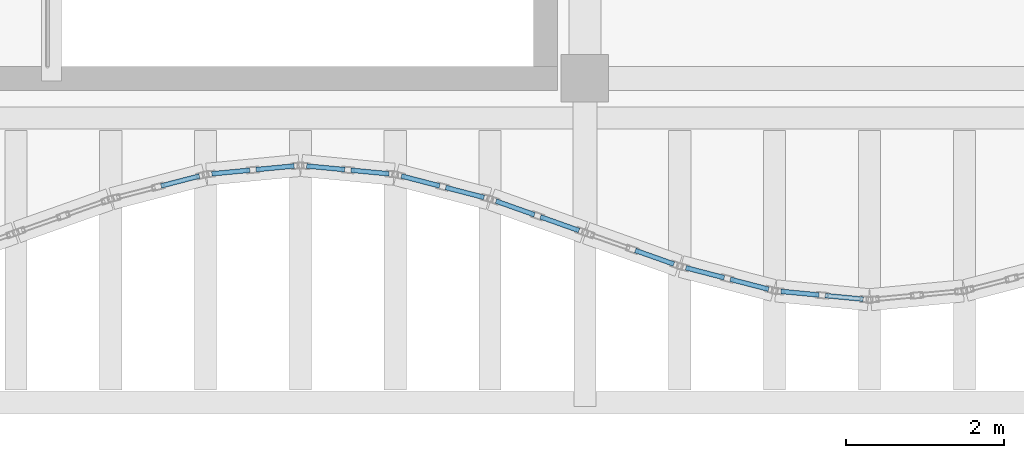
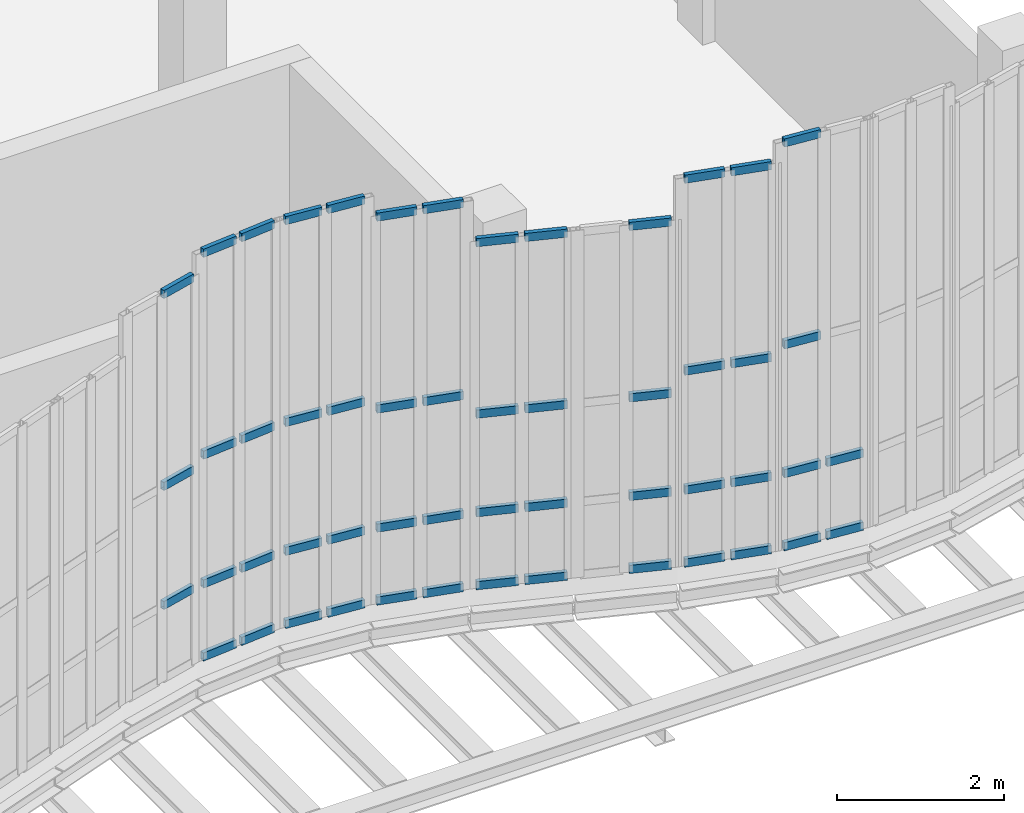
# One storey, part 45 of 76: 53 members, 8 elements without a shape of their own.
"""IFC4 building model written with IfcOpenShell, lengths in metres."""

from ifc_helpers import new_model, si_unit, direction, frame, origin, origin_2d, place, context, subcontext, project, spatial, hollow_rectangle, extrude, material, layer, layer_set, material_profile, profile_set, type_object, element, aggregate, save


model = new_model("IFC4")

# Units and contexts
model_context = context("Model", 3, precision=1e-05, world=origin(), true_north=direction((0.0, 1.0)))
body_context = subcontext(model_context, "Body", "Model", "MODEL_VIEW")
ifc_project = project(units=[si_unit("LENGTHUNIT", "METRE"), si_unit("AREAUNIT", "SQUARE_METRE"), si_unit("VOLUMEUNIT", "CUBIC_METRE"), si_unit("PLANEANGLEUNIT", "RADIAN"), si_unit("MASSUNIT", "GRAM", prefix="KILO"), si_unit("THERMODYNAMICTEMPERATUREUNIT", "KELVIN"), si_unit("POWERUNIT", "WATT")], contexts=[model_context])

# Site, building, storey
site_placement = place(None, origin())
site = spatial("IfcSite", under=ifc_project, at=site_placement, CompositionType="ELEMENT")
building_placement = place(site_placement, origin())
building = spatial("IfcBuilding", under=site, at=building_placement, Name="Kaldorven Railside Theatre", CompositionType="ELEMENT")
storey_placement = place(building_placement, frame((0.0, 0.0, 14.39990234375)))
storey = spatial("IfcBuildingStorey", under=building, at=storey_placement, Name="L03", CompositionType="ELEMENT", Elevation=14.39990234375)

# Curtain wall, members
ifc_material_1 = material(Name="Low-E laminated solar-control glass", Category="glass")
ifc_layer_1 = layer(ifc_material_1, 0.159912109375, Name="Low-E laminated solar-control glass")
ifc_layer_set_1 = layer_set([ifc_layer_1], Name="Low-E laminated solar-control glass")
curtain_wall_type_1 = type_object("IfcCurtainWallType", Name="CWT-09", PredefinedType="USERDEFINED", material=ifc_layer_set_1)
curtain_wall_1_placement = place(storey_placement, origin())
curtain_wall_1 = element("IfcCurtainWall", 1, at=curtain_wall_1_placement, inside=storey, type_object=curtain_wall_type_1, Name="Sinusoidal Fluted Curtain Wall CW-L03-S62", ObjectType="FLUTED GLAZING", PredefinedType="USERDEFINED")
ifc_material_2 = material(Name="Anodised bronze aluminium", Category="aluminium")
ifc_material_profile = material_profile(ifc_material_2, hollow_rectangle(XDim=0.06005859375, YDim=0.1201171875, WallThickness=0.0048828125, at=origin_2d()), Name="RHS 120x60x5")
ifc_profile_set = profile_set([ifc_material_profile], Name="Anodised bronze aluminium")
member_type = type_object("IfcMemberType", Name="CWT-120", PredefinedType="USERDEFINED", material=ifc_profile_set)
member_1_placement = place(storey_placement, frame((110.638671875, 17.840576171875, 1.10009765625), z_axis=(0.967979318949, 0.251029954561, 0.0), x_axis=(-0.251029954561, 0.967979318949, 0.0)))
member_1 = element("IfcMember", 2, at=member_1_placement, type_object=member_type, Name="CW-L03-S62 transom 2.2", ObjectType="TRANSOM", PredefinedType="USERDEFINED", context=body_context, shape_type="SweptSolid", body=[
    extrude(hollow_rectangle(XDim=0.06005859375, YDim=0.1201171875, WallThickness=0.0048828125, at=origin_2d()), origin(), (0.0, 0.0, 1.0), 0.5),
])
member_2_placement = place(storey_placement, frame((110.638671875, 17.840576171875, 2.84521484375), z_axis=(0.967979318949, 0.251029954561, 0.0), x_axis=(-0.251029954561, 0.967979318949, 0.0)))
member_2 = element("IfcMember", 3, at=member_2_placement, type_object=member_type, Name="CW-L03-S62 transom 2.3", ObjectType="TRANSOM", PredefinedType="USERDEFINED", context=body_context, shape_type="SweptSolid", body=[
    extrude(hollow_rectangle(XDim=0.06005859375, YDim=0.1201171875, WallThickness=0.0048828125, at=origin_2d()), origin(), (0.0, 0.0, 1.0), 0.5),
])
member_3_placement = place(storey_placement, frame((110.638671875, 17.840576171875, 5.66015625), z_axis=(0.967979318949, 0.251029954561, 0.0), x_axis=(-0.251029954561, 0.967979318949, 0.0)))
member_3 = element("IfcMember", 4, at=member_3_placement, type_object=member_type, Name="CW-L03-S62 transom 2.4", ObjectType="TRANSOM", PredefinedType="USERDEFINED", context=body_context, shape_type="SweptSolid", body=[
    extrude(hollow_rectangle(XDim=0.06005859375, YDim=0.1201171875, WallThickness=0.0048828125, at=origin_2d()), origin(), (0.0, 0.0, 1.0), 0.5),
])
aggregate(curtain_wall_1, [member_1, member_2, member_3])

ifc_layer_2 = layer(ifc_material_1, 0.159912109375, Name="Low-E laminated solar-control glass")
ifc_layer_set_2 = layer_set([ifc_layer_2], Name="Low-E laminated solar-control glass")
curtain_wall_type_2 = type_object("IfcCurtainWallType", Name="CWT-10", PredefinedType="USERDEFINED", material=ifc_layer_set_2)
curtain_wall_2_placement = place(storey_placement, origin())
curtain_wall_2 = element("IfcCurtainWall", 5, at=curtain_wall_2_placement, inside=storey, type_object=curtain_wall_type_2, Name="Sinusoidal Fluted Curtain Wall CW-L03-S63", ObjectType="FLUTED GLAZING", PredefinedType="USERDEFINED")
member_4_placement = place(storey_placement, frame((111.279541015625, 17.99365234375, 0.030029296875), z_axis=(0.995520433802, 0.094546633378, 0.0), x_axis=(-0.094546633378, 0.995520433802, 0.0)))
member_4 = element("IfcMember", 6, at=member_4_placement, type_object=member_type, Name="CW-L03-S63 transom 1.1", ObjectType="TRANSOM", PredefinedType="USERDEFINED", context=body_context, shape_type="SweptSolid", body=[
    extrude(hollow_rectangle(XDim=0.06005859375, YDim=0.1201171875, WallThickness=0.0048828125, at=origin_2d()), origin(), (0.0, 0.0, 1.0), 0.48291015625),
])
member_5_placement = place(storey_placement, frame((111.279541015625, 17.99365234375, 1.10009765625), z_axis=(0.995520433802, 0.094546633378, 0.0), x_axis=(-0.094546633378, 0.995520433802, 0.0)))
member_5 = element("IfcMember", 7, at=member_5_placement, type_object=member_type, Name="CW-L03-S63 transom 1.2", ObjectType="TRANSOM", PredefinedType="USERDEFINED", context=body_context, shape_type="SweptSolid", body=[
    extrude(hollow_rectangle(XDim=0.06005859375, YDim=0.1201171875, WallThickness=0.0048828125, at=origin_2d()), origin(), (0.0, 0.0, 1.0), 0.48291015625),
])
member_6_placement = place(storey_placement, frame((111.279541015625, 17.99365234375, 2.989990234375), z_axis=(0.995520433802, 0.094546633378, 0.0), x_axis=(-0.094546633378, 0.995520433802, 0.0)))
member_6 = element("IfcMember", 8, at=member_6_placement, type_object=member_type, Name="CW-L03-S63 transom 1.3", ObjectType="TRANSOM", PredefinedType="USERDEFINED", context=body_context, shape_type="SweptSolid", body=[
    extrude(hollow_rectangle(XDim=0.06005859375, YDim=0.1201171875, WallThickness=0.0048828125, at=origin_2d()), origin(), (0.0, 0.0, 1.0), 0.48291015625),
])
member_7_placement = place(storey_placement, frame((111.279541015625, 17.99365234375, 5.9501953125), z_axis=(0.995520433802, 0.094546633378, 0.0), x_axis=(-0.094546633378, 0.995520433802, 0.0)))
member_7 = element("IfcMember", 9, at=member_7_placement, type_object=member_type, Name="CW-L03-S63 transom 1.4", ObjectType="TRANSOM", PredefinedType="USERDEFINED", context=body_context, shape_type="SweptSolid", body=[
    extrude(hollow_rectangle(XDim=0.06005859375, YDim=0.1201171875, WallThickness=0.0048828125, at=origin_2d()), origin(), (0.0, 0.0, 1.0), 0.48291015625),
])
member_8_placement = place(storey_placement, frame((111.83984375, 18.046875, 0.030029296875), z_axis=(0.995515910823, 0.094594245591, 0.0), x_axis=(-0.094594245591, 0.995515910823, 0.0)))
member_8 = element("IfcMember", 10, at=member_8_placement, type_object=member_type, Name="CW-L03-S63 transom 2.1", ObjectType="TRANSOM", PredefinedType="USERDEFINED", context=body_context, shape_type="SweptSolid", body=[
    extrude(hollow_rectangle(XDim=0.06005859375, YDim=0.1201171875, WallThickness=0.0048828125, at=origin_2d()), origin(), (0.0, 0.0, 1.0), 0.482666015625),
])
member_9_placement = place(storey_placement, frame((111.83984375, 18.046875, 1.10009765625), z_axis=(0.995515910823, 0.094594245591, 0.0), x_axis=(-0.094594245591, 0.995515910823, 0.0)))
member_9 = element("IfcMember", 11, at=member_9_placement, type_object=member_type, Name="CW-L03-S63 transom 2.2", ObjectType="TRANSOM", PredefinedType="USERDEFINED", context=body_context, shape_type="SweptSolid", body=[
    extrude(hollow_rectangle(XDim=0.06005859375, YDim=0.1201171875, WallThickness=0.0048828125, at=origin_2d()), origin(), (0.0, 0.0, 1.0), 0.482666015625),
])
member_10_placement = place(storey_placement, frame((111.83984375, 18.046875, 2.989990234375), z_axis=(0.995515910823, 0.094594245591, 0.0), x_axis=(-0.094594245591, 0.995515910823, 0.0)))
member_10 = element("IfcMember", 12, at=member_10_placement, type_object=member_type, Name="CW-L03-S63 transom 2.3", ObjectType="TRANSOM", PredefinedType="USERDEFINED", context=body_context, shape_type="SweptSolid", body=[
    extrude(hollow_rectangle(XDim=0.06005859375, YDim=0.1201171875, WallThickness=0.0048828125, at=origin_2d()), origin(), (0.0, 0.0, 1.0), 0.482666015625),
])
member_11_placement = place(storey_placement, frame((111.83984375, 18.046875, 5.9501953125), z_axis=(0.995515910823, 0.094594245591, 0.0), x_axis=(-0.094594245591, 0.995515910823, 0.0)))
member_11 = element("IfcMember", 13, at=member_11_placement, type_object=member_type, Name="CW-L03-S63 transom 2.4", ObjectType="TRANSOM", PredefinedType="USERDEFINED", context=body_context, shape_type="SweptSolid", body=[
    extrude(hollow_rectangle(XDim=0.06005859375, YDim=0.1201171875, WallThickness=0.0048828125, at=origin_2d()), origin(), (0.0, 0.0, 1.0), 0.482666015625),
])
aggregate(curtain_wall_2, [member_4, member_5, member_6, member_7, member_8, member_9, member_10, member_11])

curtain_wall_3_placement = place(storey_placement, origin())
curtain_wall_3 = element("IfcCurtainWall", 14, at=curtain_wall_3_placement, inside=storey, type_object=curtain_wall_type_2, Name="Sinusoidal Fluted Curtain Wall CW-L03-S64", ObjectType="FLUTED GLAZING", PredefinedType="USERDEFINED")
member_12_placement = place(storey_placement, frame((112.479736328125, 18.092529296875, 0.030029296875), z_axis=(0.995515910823, -0.094594245591, 0.0), x_axis=(0.094594245591, 0.995515910823, 0.0)))
member_12 = element("IfcMember", 15, at=member_12_placement, type_object=member_type, Name="CW-L03-S64 transom 1.1", ObjectType="TRANSOM", PredefinedType="USERDEFINED", context=body_context, shape_type="SweptSolid", body=[
    extrude(hollow_rectangle(XDim=0.06005859375, YDim=0.1201171875, WallThickness=0.0048828125, at=origin_2d()), origin(), (0.0, 0.0, 1.0), 0.482666015625),
])
member_13_placement = place(storey_placement, frame((112.479736328125, 18.092529296875, 1.10009765625), z_axis=(0.995515910823, -0.094594245591, 0.0), x_axis=(0.094594245591, 0.995515910823, 0.0)))
member_13 = element("IfcMember", 16, at=member_13_placement, type_object=member_type, Name="CW-L03-S64 transom 1.2", ObjectType="TRANSOM", PredefinedType="USERDEFINED", context=body_context, shape_type="SweptSolid", body=[
    extrude(hollow_rectangle(XDim=0.06005859375, YDim=0.1201171875, WallThickness=0.0048828125, at=origin_2d()), origin(), (0.0, 0.0, 1.0), 0.482666015625),
])
member_14_placement = place(storey_placement, frame((112.479736328125, 18.092529296875, 2.989990234375), z_axis=(0.995515910823, -0.094594245591, 0.0), x_axis=(0.094594245591, 0.995515910823, 0.0)))
member_14 = element("IfcMember", 17, at=member_14_placement, type_object=member_type, Name="CW-L03-S64 transom 1.3", ObjectType="TRANSOM", PredefinedType="USERDEFINED", context=body_context, shape_type="SweptSolid", body=[
    extrude(hollow_rectangle(XDim=0.06005859375, YDim=0.1201171875, WallThickness=0.0048828125, at=origin_2d()), origin(), (0.0, 0.0, 1.0), 0.482666015625),
])
member_15_placement = place(storey_placement, frame((112.479736328125, 18.092529296875, 5.9501953125), z_axis=(0.995515910823, -0.094594245591, 0.0), x_axis=(0.094594245591, 0.995515910823, 0.0)))
member_15 = element("IfcMember", 18, at=member_15_placement, type_object=member_type, Name="CW-L03-S64 transom 1.4", ObjectType="TRANSOM", PredefinedType="USERDEFINED", context=body_context, shape_type="SweptSolid", body=[
    extrude(hollow_rectangle(XDim=0.06005859375, YDim=0.1201171875, WallThickness=0.0048828125, at=origin_2d()), origin(), (0.0, 0.0, 1.0), 0.482666015625),
])
member_16_placement = place(storey_placement, frame((113.039794921875, 18.039306640625, 0.030029296875), z_axis=(0.995515910823, -0.094594245591, 0.0), x_axis=(0.094594245591, 0.995515910823, 0.0)))
member_16 = element("IfcMember", 19, at=member_16_placement, type_object=member_type, Name="CW-L03-S64 transom 2.1", ObjectType="TRANSOM", PredefinedType="USERDEFINED", context=body_context, shape_type="SweptSolid", body=[
    extrude(hollow_rectangle(XDim=0.06005859375, YDim=0.1201171875, WallThickness=0.0048828125, at=origin_2d()), origin(), (0.0, 0.0, 1.0), 0.482666015625),
])
member_17_placement = place(storey_placement, frame((113.039794921875, 18.039306640625, 1.10009765625), z_axis=(0.995515910823, -0.094594245591, 0.0), x_axis=(0.094594245591, 0.995515910823, 0.0)))
member_17 = element("IfcMember", 20, at=member_17_placement, type_object=member_type, Name="CW-L03-S64 transom 2.2", ObjectType="TRANSOM", PredefinedType="USERDEFINED", context=body_context, shape_type="SweptSolid", body=[
    extrude(hollow_rectangle(XDim=0.06005859375, YDim=0.1201171875, WallThickness=0.0048828125, at=origin_2d()), origin(), (0.0, 0.0, 1.0), 0.482666015625),
])
member_18_placement = place(storey_placement, frame((113.039794921875, 18.039306640625, 2.989990234375), z_axis=(0.995515910823, -0.094594245591, 0.0), x_axis=(0.094594245591, 0.995515910823, 0.0)))
member_18 = element("IfcMember", 21, at=member_18_placement, type_object=member_type, Name="CW-L03-S64 transom 2.3", ObjectType="TRANSOM", PredefinedType="USERDEFINED", context=body_context, shape_type="SweptSolid", body=[
    extrude(hollow_rectangle(XDim=0.06005859375, YDim=0.1201171875, WallThickness=0.0048828125, at=origin_2d()), origin(), (0.0, 0.0, 1.0), 0.482666015625),
])
member_19_placement = place(storey_placement, frame((113.039794921875, 18.039306640625, 5.9501953125), z_axis=(0.995515910823, -0.094594245591, 0.0), x_axis=(0.094594245591, 0.995515910823, 0.0)))
member_19 = element("IfcMember", 22, at=member_19_placement, type_object=member_type, Name="CW-L03-S64 transom 2.4", ObjectType="TRANSOM", PredefinedType="USERDEFINED", context=body_context, shape_type="SweptSolid", body=[
    extrude(hollow_rectangle(XDim=0.06005859375, YDim=0.1201171875, WallThickness=0.0048828125, at=origin_2d()), origin(), (0.0, 0.0, 1.0), 0.482666015625),
])
aggregate(curtain_wall_3, [member_12, member_13, member_14, member_15, member_16, member_17, member_18, member_19])

curtain_wall_4_placement = place(storey_placement, origin())
curtain_wall_4 = element("IfcCurtainWall", 23, at=curtain_wall_4_placement, inside=storey, type_object=curtain_wall_type_1, Name="Sinusoidal Fluted Curtain Wall CW-L03-S65", ObjectType="FLUTED GLAZING", PredefinedType="USERDEFINED")
member_20_placement = place(storey_placement, frame((113.677490234375, 17.966064453125, 0.030029296875), z_axis=(0.967979318949, -0.251029954561, 0.0), x_axis=(0.251029954561, 0.967979318949, 0.0)))
member_20 = element("IfcMember", 24, at=member_20_placement, type_object=member_type, Name="CW-L03-S65 transom 1.1", ObjectType="TRANSOM", PredefinedType="USERDEFINED", context=body_context, shape_type="SweptSolid", body=[
    extrude(hollow_rectangle(XDim=0.06005859375, YDim=0.1201171875, WallThickness=0.0048828125, at=origin_2d()), origin(), (0.0, 0.0, 1.0), 0.5),
])
member_21_placement = place(storey_placement, frame((113.677490234375, 17.966064453125, 1.10009765625), z_axis=(0.967979318949, -0.251029954561, 0.0), x_axis=(0.251029954561, 0.967979318949, 0.0)))
member_21 = element("IfcMember", 25, at=member_21_placement, type_object=member_type, Name="CW-L03-S65 transom 1.2", ObjectType="TRANSOM", PredefinedType="USERDEFINED", context=body_context, shape_type="SweptSolid", body=[
    extrude(hollow_rectangle(XDim=0.06005859375, YDim=0.1201171875, WallThickness=0.0048828125, at=origin_2d()), origin(), (0.0, 0.0, 1.0), 0.5),
])
member_22_placement = place(storey_placement, frame((113.677490234375, 17.966064453125, 2.84521484375), z_axis=(0.967979318949, -0.251029954561, 0.0), x_axis=(0.251029954561, 0.967979318949, 0.0)))
member_22 = element("IfcMember", 26, at=member_22_placement, type_object=member_type, Name="CW-L03-S65 transom 1.3", ObjectType="TRANSOM", PredefinedType="USERDEFINED", context=body_context, shape_type="SweptSolid", body=[
    extrude(hollow_rectangle(XDim=0.06005859375, YDim=0.1201171875, WallThickness=0.0048828125, at=origin_2d()), origin(), (0.0, 0.0, 1.0), 0.5),
])
member_23_placement = place(storey_placement, frame((113.677490234375, 17.966064453125, 5.66015625), z_axis=(0.967979318949, -0.251029954561, 0.0), x_axis=(0.251029954561, 0.967979318949, 0.0)))
member_23 = element("IfcMember", 27, at=member_23_placement, type_object=member_type, Name="CW-L03-S65 transom 1.4", ObjectType="TRANSOM", PredefinedType="USERDEFINED", context=body_context, shape_type="SweptSolid", body=[
    extrude(hollow_rectangle(XDim=0.06005859375, YDim=0.1201171875, WallThickness=0.0048828125, at=origin_2d()), origin(), (0.0, 0.0, 1.0), 0.5),
])
member_24_placement = place(storey_placement, frame((114.23876953125, 17.820556640625, 0.030029296875), z_axis=(0.967979318949, -0.251029954561, 0.0), x_axis=(0.251029954561, 0.967979318949, 0.0)))
member_24 = element("IfcMember", 28, at=member_24_placement, type_object=member_type, Name="CW-L03-S65 transom 2.1", ObjectType="TRANSOM", PredefinedType="USERDEFINED", context=body_context, shape_type="SweptSolid", body=[
    extrude(hollow_rectangle(XDim=0.06005859375, YDim=0.1201171875, WallThickness=0.0048828125, at=origin_2d()), origin(), (0.0, 0.0, 1.0), 0.5),
])
member_25_placement = place(storey_placement, frame((114.23876953125, 17.820556640625, 1.10009765625), z_axis=(0.967979318949, -0.251029954561, 0.0), x_axis=(0.251029954561, 0.967979318949, 0.0)))
member_25 = element("IfcMember", 29, at=member_25_placement, type_object=member_type, Name="CW-L03-S65 transom 2.2", ObjectType="TRANSOM", PredefinedType="USERDEFINED", context=body_context, shape_type="SweptSolid", body=[
    extrude(hollow_rectangle(XDim=0.06005859375, YDim=0.1201171875, WallThickness=0.0048828125, at=origin_2d()), origin(), (0.0, 0.0, 1.0), 0.5),
])
member_26_placement = place(storey_placement, frame((114.23876953125, 17.820556640625, 2.84521484375), z_axis=(0.967979318949, -0.251029954561, 0.0), x_axis=(0.251029954561, 0.967979318949, 0.0)))
member_26 = element("IfcMember", 30, at=member_26_placement, type_object=member_type, Name="CW-L03-S65 transom 2.3", ObjectType="TRANSOM", PredefinedType="USERDEFINED", context=body_context, shape_type="SweptSolid", body=[
    extrude(hollow_rectangle(XDim=0.06005859375, YDim=0.1201171875, WallThickness=0.0048828125, at=origin_2d()), origin(), (0.0, 0.0, 1.0), 0.5),
])
member_27_placement = place(storey_placement, frame((114.23876953125, 17.820556640625, 5.66015625), z_axis=(0.967979318949, -0.251029954561, 0.0), x_axis=(0.251029954561, 0.967979318949, 0.0)))
member_27 = element("IfcMember", 31, at=member_27_placement, type_object=member_type, Name="CW-L03-S65 transom 2.4", ObjectType="TRANSOM", PredefinedType="USERDEFINED", context=body_context, shape_type="SweptSolid", body=[
    extrude(hollow_rectangle(XDim=0.06005859375, YDim=0.1201171875, WallThickness=0.0048828125, at=origin_2d()), origin(), (0.0, 0.0, 1.0), 0.5),
])
aggregate(curtain_wall_4, [member_20, member_21, member_22, member_23, member_24, member_25, member_26, member_27])

ifc_layer_3 = layer(ifc_material_1, 0.159912109375, Name="Low-E laminated solar-control glass")
ifc_layer_set_3 = layer_set([ifc_layer_3], Name="Low-E laminated solar-control glass")
curtain_wall_type_3 = type_object("IfcCurtainWallType", Name="CWT-08", PredefinedType="USERDEFINED", material=ifc_layer_set_3)
curtain_wall_5_placement = place(storey_placement, origin())
curtain_wall_5 = element("IfcCurtainWall", 32, at=curtain_wall_5_placement, inside=storey, type_object=curtain_wall_type_3, Name="Sinusoidal Fluted Curtain Wall CW-L03-S66", ObjectType="FLUTED GLAZING", PredefinedType="USERDEFINED")
member_28_placement = place(storey_placement, frame((114.87548828125, 17.648193359375, 0.030029296875), z_axis=(0.942658214948, -0.333759628763, 0.0), x_axis=(0.333759628763, 0.942658214948, 0.0)))
member_28 = element("IfcMember", 33, at=member_28_placement, type_object=member_type, Name="CW-L03-S66 transom 1.1", ObjectType="TRANSOM", PredefinedType="USERDEFINED", context=body_context, shape_type="SweptSolid", body=[
    extrude(hollow_rectangle(XDim=0.06005859375, YDim=0.1201171875, WallThickness=0.0048828125, at=origin_2d()), origin(), (0.0, 0.0, 1.0), 0.516357421875),
])
member_29_placement = place(storey_placement, frame((114.87548828125, 17.648193359375, 1.10009765625), z_axis=(0.942658214948, -0.333759628763, 0.0), x_axis=(0.333759628763, 0.942658214948, 0.0)))
member_29 = element("IfcMember", 34, at=member_29_placement, type_object=member_type, Name="CW-L03-S66 transom 1.2", ObjectType="TRANSOM", PredefinedType="USERDEFINED", context=body_context, shape_type="SweptSolid", body=[
    extrude(hollow_rectangle(XDim=0.06005859375, YDim=0.1201171875, WallThickness=0.0048828125, at=origin_2d()), origin(), (0.0, 0.0, 1.0), 0.516357421875),
])
member_30_placement = place(storey_placement, frame((114.87548828125, 17.648193359375, 2.545166015625), z_axis=(0.942658214948, -0.333759628763, 0.0), x_axis=(0.333759628763, 0.942658214948, 0.0)))
member_30 = element("IfcMember", 35, at=member_30_placement, type_object=member_type, Name="CW-L03-S66 transom 1.3", ObjectType="TRANSOM", PredefinedType="USERDEFINED", context=body_context, shape_type="SweptSolid", body=[
    extrude(hollow_rectangle(XDim=0.06005859375, YDim=0.1201171875, WallThickness=0.0048828125, at=origin_2d()), origin(), (0.0, 0.0, 1.0), 0.516357421875),
])
member_31_placement = place(storey_placement, frame((114.87548828125, 17.648193359375, 5.06005859375), z_axis=(0.942658214948, -0.333759628763, 0.0), x_axis=(0.333759628763, 0.942658214948, 0.0)))
member_31 = element("IfcMember", 36, at=member_31_placement, type_object=member_type, Name="CW-L03-S66 transom 1.4", ObjectType="TRANSOM", PredefinedType="USERDEFINED", context=body_context, shape_type="SweptSolid", body=[
    extrude(hollow_rectangle(XDim=0.06005859375, YDim=0.1201171875, WallThickness=0.0048828125, at=origin_2d()), origin(), (0.0, 0.0, 1.0), 0.516357421875),
])
member_32_placement = place(storey_placement, frame((115.437744140625, 17.44921875, 0.030029296875), z_axis=(0.942509408488, -0.334179614745, 0.0), x_axis=(0.334179614745, 0.942509408488, 0.0)))
member_32 = element("IfcMember", 37, at=member_32_placement, type_object=member_type, Name="CW-L03-S66 transom 2.1", ObjectType="TRANSOM", PredefinedType="USERDEFINED", context=body_context, shape_type="SweptSolid", body=[
    extrude(hollow_rectangle(XDim=0.06005859375, YDim=0.1201171875, WallThickness=0.0048828125, at=origin_2d()), origin(), (0.0, 0.0, 1.0), 0.5166015625),
])
member_33_placement = place(storey_placement, frame((115.437744140625, 17.44921875, 1.10009765625), z_axis=(0.942509408488, -0.334179614745, 0.0), x_axis=(0.334179614745, 0.942509408488, 0.0)))
member_33 = element("IfcMember", 38, at=member_33_placement, type_object=member_type, Name="CW-L03-S66 transom 2.2", ObjectType="TRANSOM", PredefinedType="USERDEFINED", context=body_context, shape_type="SweptSolid", body=[
    extrude(hollow_rectangle(XDim=0.06005859375, YDim=0.1201171875, WallThickness=0.0048828125, at=origin_2d()), origin(), (0.0, 0.0, 1.0), 0.5166015625),
])
member_34_placement = place(storey_placement, frame((115.437744140625, 17.44921875, 2.545166015625), z_axis=(0.942509408488, -0.334179614745, 0.0), x_axis=(0.334179614745, 0.942509408488, 0.0)))
member_34 = element("IfcMember", 39, at=member_34_placement, type_object=member_type, Name="CW-L03-S66 transom 2.3", ObjectType="TRANSOM", PredefinedType="USERDEFINED", context=body_context, shape_type="SweptSolid", body=[
    extrude(hollow_rectangle(XDim=0.06005859375, YDim=0.1201171875, WallThickness=0.0048828125, at=origin_2d()), origin(), (0.0, 0.0, 1.0), 0.5166015625),
])
member_35_placement = place(storey_placement, frame((115.437744140625, 17.44921875, 5.06005859375), z_axis=(0.942509408488, -0.334179614745, 0.0), x_axis=(0.334179614745, 0.942509408488, 0.0)))
member_35 = element("IfcMember", 40, at=member_35_placement, type_object=member_type, Name="CW-L03-S66 transom 2.4", ObjectType="TRANSOM", PredefinedType="USERDEFINED", context=body_context, shape_type="SweptSolid", body=[
    extrude(hollow_rectangle(XDim=0.06005859375, YDim=0.1201171875, WallThickness=0.0048828125, at=origin_2d()), origin(), (0.0, 0.0, 1.0), 0.5166015625),
])
aggregate(curtain_wall_5, [member_28, member_29, member_30, member_31, member_32, member_33, member_34, member_35])

curtain_wall_6_placement = place(storey_placement, origin())
curtain_wall_6 = element("IfcCurtainWall", 41, at=curtain_wall_6_placement, inside=storey, type_object=curtain_wall_type_3, Name="Sinusoidal Fluted Curtain Wall CW-L03-S67", ObjectType="FLUTED GLAZING", PredefinedType="USERDEFINED")
member_36_placement = place(storey_placement, frame((116.6376953125, 17.024169921875, 0.030029296875), z_axis=(0.942658214948, -0.333759628763, 0.0), x_axis=(0.333759628763, 0.942658214948, 0.0)))
member_36 = element("IfcMember", 42, at=member_36_placement, type_object=member_type, Name="CW-L03-S67 transom 2.1", ObjectType="TRANSOM", PredefinedType="USERDEFINED", context=body_context, shape_type="SweptSolid", body=[
    extrude(hollow_rectangle(XDim=0.06005859375, YDim=0.1201171875, WallThickness=0.0048828125, at=origin_2d()), origin(), (0.0, 0.0, 1.0), 0.516357421875),
])
member_37_placement = place(storey_placement, frame((116.6376953125, 17.024169921875, 1.10009765625), z_axis=(0.942658214948, -0.333759628763, 0.0), x_axis=(0.333759628763, 0.942658214948, 0.0)))
member_37 = element("IfcMember", 43, at=member_37_placement, type_object=member_type, Name="CW-L03-S67 transom 2.2", ObjectType="TRANSOM", PredefinedType="USERDEFINED", context=body_context, shape_type="SweptSolid", body=[
    extrude(hollow_rectangle(XDim=0.06005859375, YDim=0.1201171875, WallThickness=0.0048828125, at=origin_2d()), origin(), (0.0, 0.0, 1.0), 0.516357421875),
])
member_38_placement = place(storey_placement, frame((116.6376953125, 17.024169921875, 2.545166015625), z_axis=(0.942658214948, -0.333759628763, 0.0), x_axis=(0.333759628763, 0.942658214948, 0.0)))
member_38 = element("IfcMember", 44, at=member_38_placement, type_object=member_type, Name="CW-L03-S67 transom 2.3", ObjectType="TRANSOM", PredefinedType="USERDEFINED", context=body_context, shape_type="SweptSolid", body=[
    extrude(hollow_rectangle(XDim=0.06005859375, YDim=0.1201171875, WallThickness=0.0048828125, at=origin_2d()), origin(), (0.0, 0.0, 1.0), 0.516357421875),
])
member_39_placement = place(storey_placement, frame((116.6376953125, 17.024169921875, 5.06005859375), z_axis=(0.942658214948, -0.333759628763, 0.0), x_axis=(0.333759628763, 0.942658214948, 0.0)))
member_39 = element("IfcMember", 45, at=member_39_placement, type_object=member_type, Name="CW-L03-S67 transom 2.4", ObjectType="TRANSOM", PredefinedType="USERDEFINED", context=body_context, shape_type="SweptSolid", body=[
    extrude(hollow_rectangle(XDim=0.06005859375, YDim=0.1201171875, WallThickness=0.0048828125, at=origin_2d()), origin(), (0.0, 0.0, 1.0), 0.516357421875),
])
aggregate(curtain_wall_6, [member_36, member_37, member_38, member_39])

curtain_wall_7_placement = place(storey_placement, origin())
curtain_wall_7 = element("IfcCurtainWall", 46, at=curtain_wall_7_placement, inside=storey, type_object=curtain_wall_type_1, Name="Sinusoidal Fluted Curtain Wall CW-L03-S68", ObjectType="FLUTED GLAZING", PredefinedType="USERDEFINED")
member_40_placement = place(storey_placement, frame((117.27734375, 16.804931640625, 0.030029296875), z_axis=(0.967979318949, -0.251029954561, 0.0), x_axis=(0.251029954561, 0.967979318949, 0.0)))
member_40 = element("IfcMember", 47, at=member_40_placement, type_object=member_type, Name="CW-L03-S68 transom 1.1", ObjectType="TRANSOM", PredefinedType="USERDEFINED", context=body_context, shape_type="SweptSolid", body=[
    extrude(hollow_rectangle(XDim=0.06005859375, YDim=0.1201171875, WallThickness=0.0048828125, at=origin_2d()), origin(), (0.0, 0.0, 1.0), 0.5),
])
member_41_placement = place(storey_placement, frame((117.27734375, 16.804931640625, 1.10009765625), z_axis=(0.967979318949, -0.251029954561, 0.0), x_axis=(0.251029954561, 0.967979318949, 0.0)))
member_41 = element("IfcMember", 48, at=member_41_placement, type_object=member_type, Name="CW-L03-S68 transom 1.2", ObjectType="TRANSOM", PredefinedType="USERDEFINED", context=body_context, shape_type="SweptSolid", body=[
    extrude(hollow_rectangle(XDim=0.06005859375, YDim=0.1201171875, WallThickness=0.0048828125, at=origin_2d()), origin(), (0.0, 0.0, 1.0), 0.5),
])
member_42_placement = place(storey_placement, frame((117.27734375, 16.804931640625, 2.84521484375), z_axis=(0.967979318949, -0.251029954561, 0.0), x_axis=(0.251029954561, 0.967979318949, 0.0)))
member_42 = element("IfcMember", 49, at=member_42_placement, type_object=member_type, Name="CW-L03-S68 transom 1.3", ObjectType="TRANSOM", PredefinedType="USERDEFINED", context=body_context, shape_type="SweptSolid", body=[
    extrude(hollow_rectangle(XDim=0.06005859375, YDim=0.1201171875, WallThickness=0.0048828125, at=origin_2d()), origin(), (0.0, 0.0, 1.0), 0.5),
])
member_43_placement = place(storey_placement, frame((117.27734375, 16.804931640625, 5.66015625), z_axis=(0.967979318949, -0.251029954561, 0.0), x_axis=(0.251029954561, 0.967979318949, 0.0)))
member_43 = element("IfcMember", 50, at=member_43_placement, type_object=member_type, Name="CW-L03-S68 transom 1.4", ObjectType="TRANSOM", PredefinedType="USERDEFINED", context=body_context, shape_type="SweptSolid", body=[
    extrude(hollow_rectangle(XDim=0.06005859375, YDim=0.1201171875, WallThickness=0.0048828125, at=origin_2d()), origin(), (0.0, 0.0, 1.0), 0.5),
])
member_44_placement = place(storey_placement, frame((117.838623046875, 16.659423828125, 0.030029296875), z_axis=(0.967979318949, -0.251029954561, 0.0), x_axis=(0.251029954561, 0.967979318949, 0.0)))
member_44 = element("IfcMember", 51, at=member_44_placement, type_object=member_type, Name="CW-L03-S68 transom 2.1", ObjectType="TRANSOM", PredefinedType="USERDEFINED", context=body_context, shape_type="SweptSolid", body=[
    extrude(hollow_rectangle(XDim=0.06005859375, YDim=0.1201171875, WallThickness=0.0048828125, at=origin_2d()), origin(), (0.0, 0.0, 1.0), 0.5),
])
member_45_placement = place(storey_placement, frame((117.838623046875, 16.659423828125, 1.10009765625), z_axis=(0.967979318949, -0.251029954561, 0.0), x_axis=(0.251029954561, 0.967979318949, 0.0)))
member_45 = element("IfcMember", 52, at=member_45_placement, type_object=member_type, Name="CW-L03-S68 transom 2.2", ObjectType="TRANSOM", PredefinedType="USERDEFINED", context=body_context, shape_type="SweptSolid", body=[
    extrude(hollow_rectangle(XDim=0.06005859375, YDim=0.1201171875, WallThickness=0.0048828125, at=origin_2d()), origin(), (0.0, 0.0, 1.0), 0.5),
])
member_46_placement = place(storey_placement, frame((117.838623046875, 16.659423828125, 2.84521484375), z_axis=(0.967979318949, -0.251029954561, 0.0), x_axis=(0.251029954561, 0.967979318949, 0.0)))
member_46 = element("IfcMember", 53, at=member_46_placement, type_object=member_type, Name="CW-L03-S68 transom 2.3", ObjectType="TRANSOM", PredefinedType="USERDEFINED", context=body_context, shape_type="SweptSolid", body=[
    extrude(hollow_rectangle(XDim=0.06005859375, YDim=0.1201171875, WallThickness=0.0048828125, at=origin_2d()), origin(), (0.0, 0.0, 1.0), 0.5),
])
member_47_placement = place(storey_placement, frame((117.838623046875, 16.659423828125, 5.66015625), z_axis=(0.967979318949, -0.251029954561, 0.0), x_axis=(0.251029954561, 0.967979318949, 0.0)))
member_47 = element("IfcMember", 54, at=member_47_placement, type_object=member_type, Name="CW-L03-S68 transom 2.4", ObjectType="TRANSOM", PredefinedType="USERDEFINED", context=body_context, shape_type="SweptSolid", body=[
    extrude(hollow_rectangle(XDim=0.06005859375, YDim=0.1201171875, WallThickness=0.0048828125, at=origin_2d()), origin(), (0.0, 0.0, 1.0), 0.5),
])
aggregate(curtain_wall_7, [member_40, member_41, member_42, member_43, member_44, member_45, member_46, member_47])

curtain_wall_8_placement = place(storey_placement, origin())
curtain_wall_8 = element("IfcCurtainWall", 55, at=curtain_wall_8_placement, inside=storey, type_object=curtain_wall_type_2, Name="Sinusoidal Fluted Curtain Wall CW-L03-S69", ObjectType="FLUTED GLAZING", PredefinedType="USERDEFINED")
member_48_placement = place(storey_placement, frame((118.479736328125, 16.50634765625, 0.030029296875), z_axis=(0.995515910823, -0.094594245591, 0.0), x_axis=(0.094594245591, 0.995515910823, 0.0)))
member_48 = element("IfcMember", 56, at=member_48_placement, type_object=member_type, Name="CW-L03-S69 transom 1.1", ObjectType="TRANSOM", PredefinedType="USERDEFINED", context=body_context, shape_type="SweptSolid", body=[
    extrude(hollow_rectangle(XDim=0.06005859375, YDim=0.1201171875, WallThickness=0.0048828125, at=origin_2d()), origin(), (0.0, 0.0, 1.0), 0.482666015625),
])
member_49_placement = place(storey_placement, frame((118.479736328125, 16.50634765625, 1.10009765625), z_axis=(0.995515910823, -0.094594245591, 0.0), x_axis=(0.094594245591, 0.995515910823, 0.0)))
member_49 = element("IfcMember", 57, at=member_49_placement, type_object=member_type, Name="CW-L03-S69 transom 1.2", ObjectType="TRANSOM", PredefinedType="USERDEFINED", context=body_context, shape_type="SweptSolid", body=[
    extrude(hollow_rectangle(XDim=0.06005859375, YDim=0.1201171875, WallThickness=0.0048828125, at=origin_2d()), origin(), (0.0, 0.0, 1.0), 0.482666015625),
])
member_50_placement = place(storey_placement, frame((118.479736328125, 16.50634765625, 2.989990234375), z_axis=(0.995515910823, -0.094594245591, 0.0), x_axis=(0.094594245591, 0.995515910823, 0.0)))
member_50 = element("IfcMember", 58, at=member_50_placement, type_object=member_type, Name="CW-L03-S69 transom 1.3", ObjectType="TRANSOM", PredefinedType="USERDEFINED", context=body_context, shape_type="SweptSolid", body=[
    extrude(hollow_rectangle(XDim=0.06005859375, YDim=0.1201171875, WallThickness=0.0048828125, at=origin_2d()), origin(), (0.0, 0.0, 1.0), 0.482666015625),
])
member_51_placement = place(storey_placement, frame((118.479736328125, 16.50634765625, 5.9501953125), z_axis=(0.995515910823, -0.094594245591, 0.0), x_axis=(0.094594245591, 0.995515910823, 0.0)))
member_51 = element("IfcMember", 59, at=member_51_placement, type_object=member_type, Name="CW-L03-S69 transom 1.4", ObjectType="TRANSOM", PredefinedType="USERDEFINED", context=body_context, shape_type="SweptSolid", body=[
    extrude(hollow_rectangle(XDim=0.06005859375, YDim=0.1201171875, WallThickness=0.0048828125, at=origin_2d()), origin(), (0.0, 0.0, 1.0), 0.482666015625),
])
member_52_placement = place(storey_placement, frame((119.039794921875, 16.453125, 0.030029296875), z_axis=(0.995515910823, -0.094594245591, 0.0), x_axis=(0.094594245591, 0.995515910823, 0.0)))
member_52 = element("IfcMember", 60, at=member_52_placement, type_object=member_type, Name="CW-L03-S69 transom 2.1", ObjectType="TRANSOM", PredefinedType="USERDEFINED", context=body_context, shape_type="SweptSolid", body=[
    extrude(hollow_rectangle(XDim=0.06005859375, YDim=0.1201171875, WallThickness=0.0048828125, at=origin_2d()), origin(), (0.0, 0.0, 1.0), 0.482666015625),
])
member_53_placement = place(storey_placement, frame((119.039794921875, 16.453125, 1.10009765625), z_axis=(0.995515910823, -0.094594245591, 0.0), x_axis=(0.094594245591, 0.995515910823, 0.0)))
member_53 = element("IfcMember", 61, at=member_53_placement, type_object=member_type, Name="CW-L03-S69 transom 2.2", ObjectType="TRANSOM", PredefinedType="USERDEFINED", context=body_context, shape_type="SweptSolid", body=[
    extrude(hollow_rectangle(XDim=0.06005859375, YDim=0.1201171875, WallThickness=0.0048828125, at=origin_2d()), origin(), (0.0, 0.0, 1.0), 0.482666015625),
])
aggregate(curtain_wall_8, [member_48, member_49, member_50, member_51, member_52, member_53])

save(model, "model.ifc")
